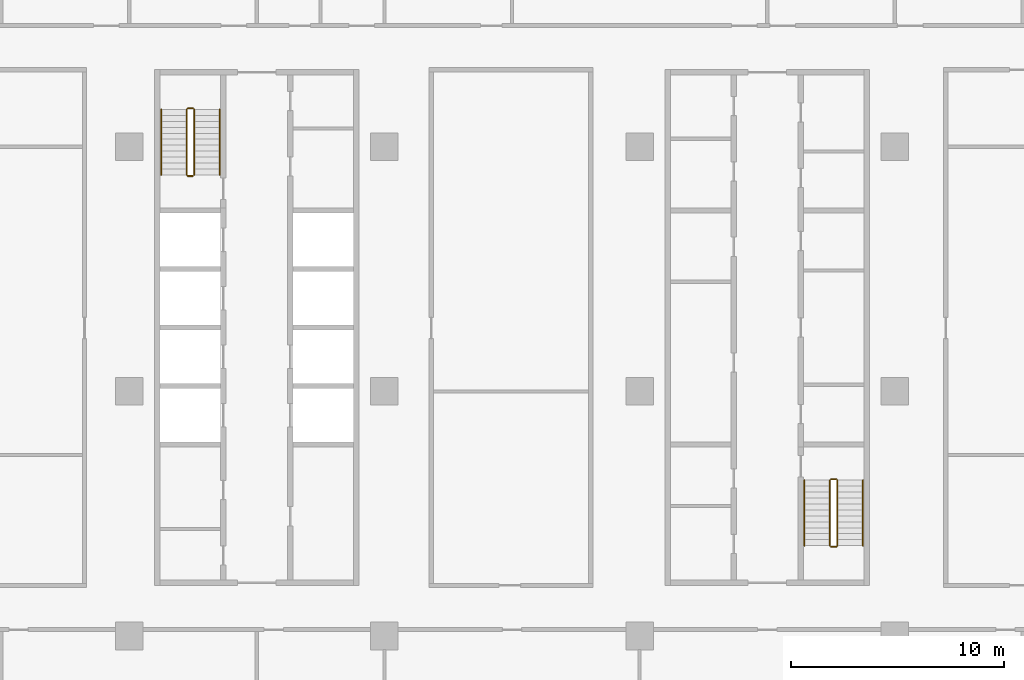
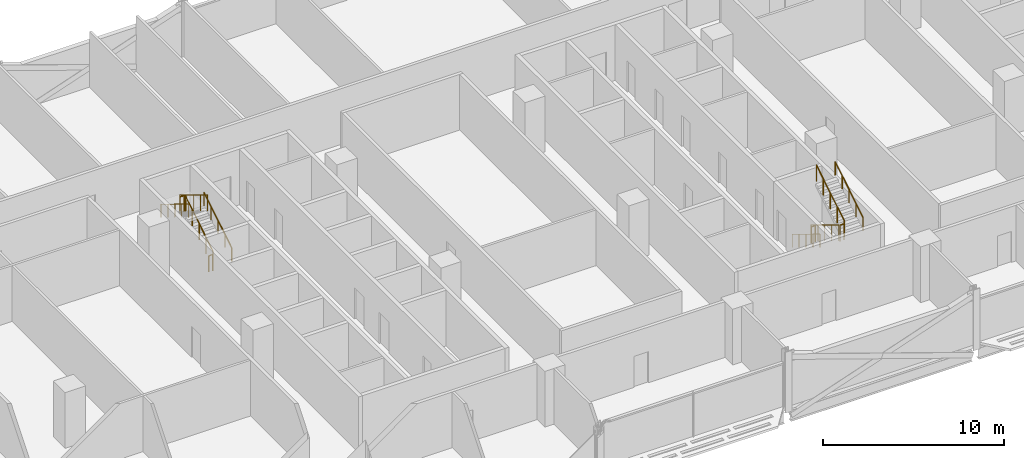
# One storey, part 25 of 28: 12 railings.
"""IFC4 building model written with IfcOpenShell, lengths in metres."""

from ifc_helpers import new_model, si_unit, direction, frame, origin, origin_2d, place, context, subcontext, project, spatial, circle, extrude, material, type_object, element, save


model = new_model("IFC4")

# Units and contexts
model_context = context("Model", 3, precision=1e-05, world=origin(), true_north=direction((0.0, 1.0)))
body_context = subcontext(model_context, "Body", "Model", "MODEL_VIEW")
ifc_project = project(units=[si_unit("LENGTHUNIT", "METRE"), si_unit("AREAUNIT", "SQUARE_METRE"), si_unit("VOLUMEUNIT", "CUBIC_METRE"), si_unit("PLANEANGLEUNIT", "RADIAN"), si_unit("MASSUNIT", "GRAM", prefix="KILO")], contexts=[model_context])

# Site, building, storey
site_placement = place(None, origin())
site = spatial("IfcSite", under=ifc_project, at=site_placement, CompositionType="ELEMENT")
building_placement = place(site_placement, origin())
building = spatial("IfcBuilding", under=site, at=building_placement, Name="Mahtab Terrace Research Tower", CompositionType="ELEMENT")
storey_placement = place(building_placement, frame((0.0, 0.0, 130.199951171875)))
storey = spatial("IfcBuildingStorey", under=building, at=storey_placement, Name="L30", CompositionType="ELEMENT", Elevation=130.199951171875)

# Railings
ifc_material = material(Name="Stainless steel AISI 304", Category="steel")
railing_type_1 = type_object("IfcRailingType", Name="Stair guard 1100", PredefinedType="GUARDRAIL", material=ifc_material)
railing_1_placement = place(storey_placement, frame((-26.949951171875, 10.175048828125, 0.1708984375)))
element("IfcRailing", 1, at=railing_1_placement, inside=storey, type_object=railing_type_1, Name="L30 ST1 stair guard 1", PredefinedType="GUARDRAIL", context=body_context, shape_type="SweptSolid", body=[
    extrude(circle(Radius=0.02392578125, at=origin_2d()), frame((0.0, 0.0, 1.076171875), z_axis=(0.0, 0.853647949592, 0.520850437417), x_axis=(-1.0, 0.0, 0.0)), (0.0, 0.0, 1.0), 3.60791015625),
    extrude(circle(Radius=0.02099609375, at=origin_2d()), origin(), (0.0, 0.0, 1.0), 1.052001953125),
    extrude(circle(Radius=0.02099609375, at=origin_2d()), frame((0.0, 0.77001953125, 0.4697265625)), (0.0, 0.0, 1.0), 1.052001953125),
    extrude(circle(Radius=0.02099609375, at=origin_2d()), frame((0.0, 1.5400390625, 0.939453125)), (0.0, 0.0, 1.0), 1.052001953125),
    extrude(circle(Radius=0.02099609375, at=origin_2d()), frame((0.0, 2.309814453125, 1.409423828125)), (0.0, 0.0, 1.0), 1.052001953125),
    extrude(circle(Radius=0.02099609375, at=origin_2d()), frame((0.0, 3.079833984375, 1.879150390625)), (0.0, 0.0, 1.0), 1.052001953125),
])
railing_2_placement = place(storey_placement, frame((-27.0, 13.304931640625, 2.050048828125)))
element("IfcRailing", 2, at=railing_2_placement, inside=storey, type_object=railing_type_1, Name="L30 ST1 stair guard 2", PredefinedType="GUARDRAIL", context=body_context, shape_type="SweptSolid", body=[
    extrude(circle(Radius=0.02392578125, at=origin_2d()), frame((0.0, 0.0, 1.076171875), z_axis=(-1.0, 0.0, 0.0), x_axis=(0.0, -1.0, 0.0)), (0.0, 0.0, 1.0), 0.25),
    extrude(circle(Radius=0.02099609375, at=origin_2d()), origin(), (0.0, 0.0, 1.0), 1.052001953125),
    extrude(circle(Radius=0.02099609375, at=origin_2d()), frame((-0.25, 0.0, 0.0)), (0.0, 0.0, 1.0), 1.052001953125),
])
railing_3_placement = place(storey_placement, frame((-27.300048828125, 13.2548828125, 2.220947265625)))
element("IfcRailing", 3, at=railing_3_placement, inside=storey, type_object=railing_type_1, Name="L30 ST1 stair guard 3", PredefinedType="GUARDRAIL", context=body_context, shape_type="SweptSolid", body=[
    extrude(circle(Radius=0.02392578125, at=origin_2d()), frame((0.0, 0.0, 1.076171875), z_axis=(0.0, -0.853647949592, 0.520850437417), x_axis=(1.0, 0.0, 0.0)), (0.0, 0.0, 1.0), 3.60791015625),
    extrude(circle(Radius=0.02099609375, at=origin_2d()), origin(), (0.0, 0.0, 1.0), 1.052001953125),
    extrude(circle(Radius=0.02099609375, at=origin_2d()), frame((0.0, -0.77001953125, 0.4697265625)), (0.0, 0.0, 1.0), 1.052001953125),
    extrude(circle(Radius=0.02099609375, at=origin_2d()), frame((0.0, -1.5400390625, 0.939453125)), (0.0, 0.0, 1.0), 1.052001953125),
    extrude(circle(Radius=0.02099609375, at=origin_2d()), frame((0.0, -2.309814453125, 1.409423828125)), (0.0, 0.0, 1.0), 1.052001953125),
    extrude(circle(Radius=0.02099609375, at=origin_2d()), frame((0.0, -3.079833984375, 1.879150390625)), (0.0, 0.0, 1.0), 1.052001953125),
])
railing_4_placement = place(storey_placement, frame((-27.0, 10.125, 0.0)))
element("IfcRailing", 4, at=railing_4_placement, inside=storey, type_object=railing_type_1, Name="L30 ST1 stair guard 4", PredefinedType="GUARDRAIL", context=body_context, shape_type="SweptSolid", body=[
    extrude(circle(Radius=0.02392578125, at=origin_2d()), frame((0.0, 0.0, 1.076171875), z_axis=(-1.0, 0.0, 0.0), x_axis=(0.0, -1.0, 0.0)), (0.0, 0.0, 1.0), 0.25),
    extrude(circle(Radius=0.02099609375, at=origin_2d()), origin(), (0.0, 0.0, 1.0), 1.052001953125),
    extrude(circle(Radius=0.02099609375, at=origin_2d()), frame((-0.25, 0.0, 0.0)), (0.0, 0.0, 1.0), 1.052001953125),
])
railing_5_placement = place(storey_placement, frame((2.949951171875, -4.175048828125, 0.1708984375)))
element("IfcRailing", 5, at=railing_5_placement, inside=storey, type_object=railing_type_1, Name="L30 ST2 stair guard 1", PredefinedType="GUARDRAIL", context=body_context, shape_type="SweptSolid", body=[
    extrude(circle(Radius=0.02392578125, at=origin_2d()), frame((0.0, 0.0, 1.076171875), z_axis=(0.0, -0.853647949592, 0.520850437417), x_axis=(1.0, 0.0, 0.0)), (0.0, 0.0, 1.0), 3.60791015625),
    extrude(circle(Radius=0.02099609375, at=origin_2d()), origin(), (0.0, 0.0, 1.0), 1.052001953125),
    extrude(circle(Radius=0.02099609375, at=origin_2d()), frame((0.0, -0.77001953125, 0.4697265625)), (0.0, 0.0, 1.0), 1.052001953125),
    extrude(circle(Radius=0.02099609375, at=origin_2d()), frame((0.0, -1.5400390625, 0.939453125)), (0.0, 0.0, 1.0), 1.052001953125),
    extrude(circle(Radius=0.02099609375, at=origin_2d()), frame((0.0, -2.309814453125, 1.409423828125)), (0.0, 0.0, 1.0), 1.052001953125),
    extrude(circle(Radius=0.02099609375, at=origin_2d()), frame((0.0, -3.079833984375, 1.879150390625)), (0.0, 0.0, 1.0), 1.052001953125),
])
railing_6_placement = place(storey_placement, frame((3.0, -7.304931640625, 2.050048828125)))
element("IfcRailing", 6, at=railing_6_placement, inside=storey, type_object=railing_type_1, Name="L30 ST2 stair guard 2", PredefinedType="GUARDRAIL", context=body_context, shape_type="SweptSolid", body=[
    extrude(circle(Radius=0.02392578125, at=origin_2d()), frame((0.0, 0.0, 1.076171875), z_axis=(1.0, 0.0, 0.0), x_axis=(0.0, 1.0, 0.0)), (0.0, 0.0, 1.0), 0.25),
    extrude(circle(Radius=0.02099609375, at=origin_2d()), origin(), (0.0, 0.0, 1.0), 1.052001953125),
    extrude(circle(Radius=0.02099609375, at=origin_2d()), frame((0.25, 0.0, 0.0)), (0.0, 0.0, 1.0), 1.052001953125),
])
railing_7_placement = place(storey_placement, frame((3.300048828125, -7.2548828125, 2.220947265625)))
element("IfcRailing", 7, at=railing_7_placement, inside=storey, type_object=railing_type_1, Name="L30 ST2 stair guard 3", PredefinedType="GUARDRAIL", context=body_context, shape_type="SweptSolid", body=[
    extrude(circle(Radius=0.02392578125, at=origin_2d()), frame((0.0, 0.0, 1.076171875), z_axis=(0.0, 0.853647949592, 0.520850437417), x_axis=(-1.0, 0.0, 0.0)), (0.0, 0.0, 1.0), 3.60791015625),
    extrude(circle(Radius=0.02099609375, at=origin_2d()), origin(), (0.0, 0.0, 1.0), 1.052001953125),
    extrude(circle(Radius=0.02099609375, at=origin_2d()), frame((0.0, 0.77001953125, 0.4697265625)), (0.0, 0.0, 1.0), 1.052001953125),
    extrude(circle(Radius=0.02099609375, at=origin_2d()), frame((0.0, 1.5400390625, 0.939453125)), (0.0, 0.0, 1.0), 1.052001953125),
    extrude(circle(Radius=0.02099609375, at=origin_2d()), frame((0.0, 2.309814453125, 1.409423828125)), (0.0, 0.0, 1.0), 1.052001953125),
    extrude(circle(Radius=0.02099609375, at=origin_2d()), frame((0.0, 3.079833984375, 1.879150390625)), (0.0, 0.0, 1.0), 1.052001953125),
])
railing_8_placement = place(storey_placement, frame((3.0, -4.125, 0.0)))
element("IfcRailing", 8, at=railing_8_placement, inside=storey, type_object=railing_type_1, Name="L30 ST2 stair guard 4", PredefinedType="GUARDRAIL", context=body_context, shape_type="SweptSolid", body=[
    extrude(circle(Radius=0.02392578125, at=origin_2d()), frame((0.0, 0.0, 1.076171875), z_axis=(1.0, 0.0, 0.0), x_axis=(0.0, 1.0, 0.0)), (0.0, 0.0, 1.0), 0.25),
    extrude(circle(Radius=0.02099609375, at=origin_2d()), origin(), (0.0, 0.0, 1.0), 1.052001953125),
    extrude(circle(Radius=0.02099609375, at=origin_2d()), frame((0.25, 0.0, 0.0)), (0.0, 0.0, 1.0), 1.052001953125),
])
railing_type_2 = type_object("IfcRailingType", Name="Stair handrail 900", PredefinedType="HANDRAIL", material=ifc_material)
railing_9_placement = place(storey_placement, frame((-25.75, 10.175048828125, 0.1708984375)))
element("IfcRailing", 9, at=railing_9_placement, inside=storey, type_object=railing_type_2, Name="L30 ST1 stair handrail 1", PredefinedType="HANDRAIL", context=body_context, shape_type="SweptSolid", body=[
    extrude(circle(Radius=0.02392578125, at=origin_2d()), frame((0.0, 0.0, 0.8759765625), z_axis=(0.0, 0.853647949592, 0.520850437417), x_axis=(-1.0, 0.0, 0.0)), (0.0, 0.0, 1.0), 3.60791015625),
    extrude(circle(Radius=0.02099609375, at=origin_2d()), origin(), (0.0, 0.0, 1.0), 0.851806640625),
    extrude(circle(Radius=0.02099609375, at=origin_2d()), frame((0.0, 0.77001953125, 0.4697265625)), (0.0, 0.0, 1.0), 0.851806640625),
    extrude(circle(Radius=0.02099609375, at=origin_2d()), frame((0.0, 1.5400390625, 0.939453125)), (0.0, 0.0, 1.0), 0.851806640625),
    extrude(circle(Radius=0.02099609375, at=origin_2d()), frame((0.0, 2.309814453125, 1.409423828125)), (0.0, 0.0, 1.0), 0.851806640625),
    extrude(circle(Radius=0.02099609375, at=origin_2d()), frame((0.0, 3.079833984375, 1.879150390625)), (0.0, 0.0, 1.0), 0.851806640625),
])
for number, where, name in (
    (10, (-28.5, 13.2548828125, 2.220947265625), "L30 ST1 stair handrail 2"),
    (11, (1.75, -4.175048828125, 0.1708984375), "L30 ST2 stair handrail 1"),
):
    element("IfcRailing", number, at=place(storey_placement, frame(where)), inside=storey, type_object=railing_type_2, Name=name, PredefinedType="HANDRAIL", context=body_context, shape_type="SweptSolid", body=[
        extrude(circle(Radius=0.02392578125, at=origin_2d()), frame((0.0, 0.0, 0.8759765625), z_axis=(0.0, -0.853647949592, 0.520850437417), x_axis=(1.0, 0.0, 0.0)), (0.0, 0.0, 1.0), 3.60791015625),
        extrude(circle(Radius=0.02099609375, at=origin_2d()), origin(), (0.0, 0.0, 1.0), 0.851806640625),
        extrude(circle(Radius=0.02099609375, at=origin_2d()), frame((0.0, -0.77001953125, 0.4697265625)), (0.0, 0.0, 1.0), 0.851806640625),
        extrude(circle(Radius=0.02099609375, at=origin_2d()), frame((0.0, -1.5400390625, 0.939453125)), (0.0, 0.0, 1.0), 0.851806640625),
        extrude(circle(Radius=0.02099609375, at=origin_2d()), frame((0.0, -2.309814453125, 1.409423828125)), (0.0, 0.0, 1.0), 0.851806640625),
        extrude(circle(Radius=0.02099609375, at=origin_2d()), frame((0.0, -3.079833984375, 1.879150390625)), (0.0, 0.0, 1.0), 0.851806640625),
    ])
railing_10_placement = place(storey_placement, frame((4.5, -7.2548828125, 2.220947265625)))
element("IfcRailing", 12, at=railing_10_placement, inside=storey, type_object=railing_type_2, Name="L30 ST2 stair handrail 2", PredefinedType="HANDRAIL", context=body_context, shape_type="SweptSolid", body=[
    extrude(circle(Radius=0.02392578125, at=origin_2d()), frame((0.0, 0.0, 0.8759765625), z_axis=(0.0, 0.853647949592, 0.520850437417), x_axis=(-1.0, 0.0, 0.0)), (0.0, 0.0, 1.0), 3.60791015625),
    extrude(circle(Radius=0.02099609375, at=origin_2d()), origin(), (0.0, 0.0, 1.0), 0.851806640625),
    extrude(circle(Radius=0.02099609375, at=origin_2d()), frame((0.0, 0.77001953125, 0.4697265625)), (0.0, 0.0, 1.0), 0.851806640625),
    extrude(circle(Radius=0.02099609375, at=origin_2d()), frame((0.0, 1.5400390625, 0.939453125)), (0.0, 0.0, 1.0), 0.851806640625),
    extrude(circle(Radius=0.02099609375, at=origin_2d()), frame((0.0, 2.309814453125, 1.409423828125)), (0.0, 0.0, 1.0), 0.851806640625),
    extrude(circle(Radius=0.02099609375, at=origin_2d()), frame((0.0, 3.079833984375, 1.879150390625)), (0.0, 0.0, 1.0), 0.851806640625),
])

save(model, "model.ifc")
